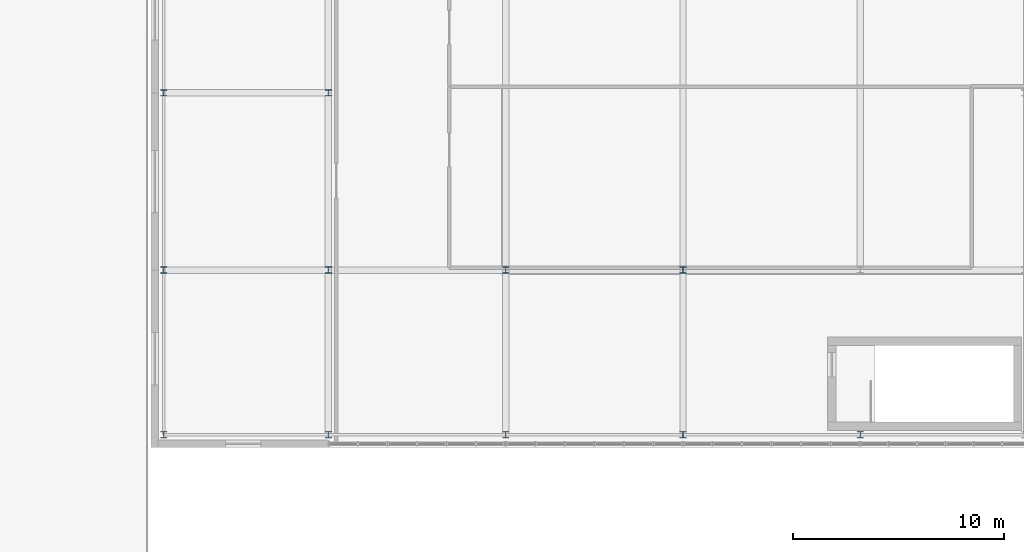
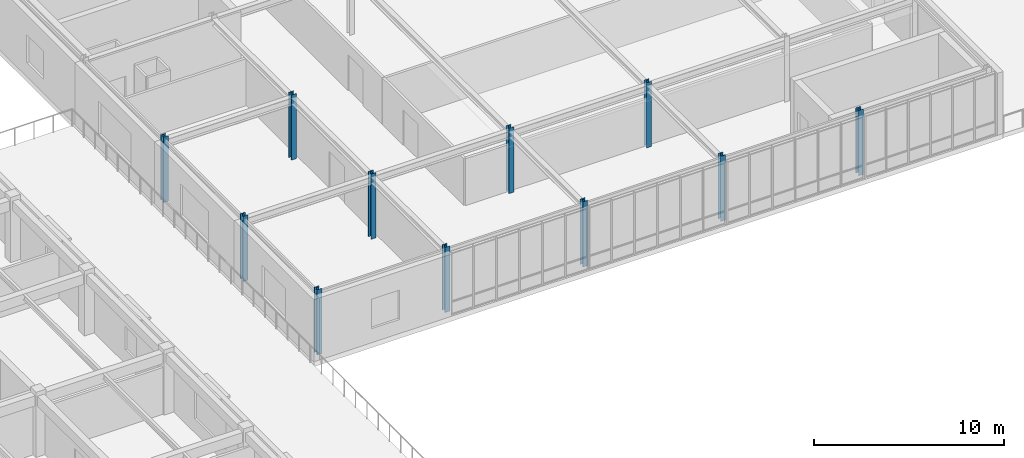
# One storey, part 17 of 127: 11 columns.
"""IFC4 building model written with IfcOpenShell, lengths in metres."""

from ifc_helpers import new_model, si_unit, direction, frame, origin, origin_2d, place, context, subcontext, project, spatial, i_section, extrude, material, material_profile, profile_set, type_object, element, save


model = new_model("IFC4")

# Units and contexts
model_context = context("Model", 3, precision=1e-05, world=origin(), true_north=direction((0.0, 1.0)))
body_context = subcontext(model_context, "Body", "Model", "MODEL_VIEW")
ifc_project = project(units=[si_unit("LENGTHUNIT", "METRE"), si_unit("AREAUNIT", "SQUARE_METRE"), si_unit("VOLUMEUNIT", "CUBIC_METRE"), si_unit("PLANEANGLEUNIT", "RADIAN"), si_unit("MASSUNIT", "GRAM", prefix="KILO")], contexts=[model_context])

# Site, building, storey
site_placement = place(None, origin())
site = spatial("IfcSite", under=ifc_project, at=site_placement, CompositionType="ELEMENT")
building_placement = place(site_placement, origin())
building = spatial("IfcBuilding", under=site, at=building_placement, Name="Zayran Congress Hotel", CompositionType="ELEMENT")
storey_placement = place(building_placement, frame((0.0, 0.0, 10.800048828125)))
storey = spatial("IfcBuildingStorey", under=building, at=storey_placement, Name="L02", CompositionType="ELEMENT", Elevation=10.800048828125)

# Columns
ifc_material = material(Name="Steel S355", Category="steel")
ifc_material_profile = material_profile(ifc_material, i_section(OverallWidth=0.300048828125, OverallDepth=0.300048828125, WebThickness=0.010986328125, FlangeThickness=0.01904296875, at=origin_2d()), Name="HEB 300")
ifc_profile_set = profile_set([ifc_material_profile], Name="Steel S355")
column_type = type_object("IfcColumnType", Name="TP-CL-08", PredefinedType="COLUMN", material=ifc_profile_set)
for number, where, z_axis, x_axis, name in (
    (1, (143.39990234375, 85.0, 0.0), (0.0, 0.0, 1.0), (1.0, 0.0, 0.0), "COL-V2-L02-0585"),
    (2, (143.39990234375, 92.800048828125, 0.0), (0.0, 0.0, 1.0), (1.0, 0.0, 0.0), "COL-V2-L02-0586"),
    (3, (143.39990234375, 101.199951171875, 0.0), (0.0, 0.0, 1.0), (1.0, 0.0, 0.0), "COL-V2-L02-0587"),
    (4, (151.199951171875, 85.0, 0.0), (0.0, 0.0, 1.0), (1.0, 0.0, 0.0), "COL-V2-L02-0590"),
    (5, (151.199951171875, 92.800048828125, 0.0), (0.0, 0.0, 1.0), (1.0, 0.0, 0.0), "COL-V2-L02-0591"),
    (6, (151.199951171875, 101.199951171875, 0.0), (0.0, 0.0, 1.0), (1.0, 0.0, 0.0), "COL-V2-L02-0592"),
    (7, (159.60009765625, 85.0, 0.0), (0.0, 0.0, 1.0), (1.0, 0.0, 0.0), "COL-V2-L02-0595"),
    (8, (159.60009765625, 92.800048828125, 0.0), (0.0, 0.0, 1.0), (1.0, 0.0, 0.0), "COL-V2-L02-0596"),
    (9, (168.0, 85.0, 0.0), (0.0, 0.0, 1.0), (1.0, 0.0, 0.0), "COL-V2-L02-0599"),
    (10, (168.0, 92.800048828125, 0.0), (0.0, 0.0, 1.0), (1.0, 0.0, 0.0), "COL-V2-L02-0600"),
    (11, (176.39990234375, 85.0, 0.0), (0.0, 0.0, 1.0), (1.0, 0.0, 0.0), "COL-V2-L02-0603"),
):
    element("IfcColumn", number, at=place(storey_placement, frame(where, z_axis=z_axis, x_axis=x_axis)), inside=storey, type_object=column_type, Name=name, PredefinedType="COLUMN", context=body_context, shape_type="SweptSolid", body=[
        extrude(i_section(OverallWidth=0.300048828125, OverallDepth=0.300048828125, WebThickness=0.010986328125, FlangeThickness=0.01904296875, at=origin_2d()), origin(), (0.0, 0.0, 1.0), 4.199951171875),
    ])

save(model, "model.ifc")
